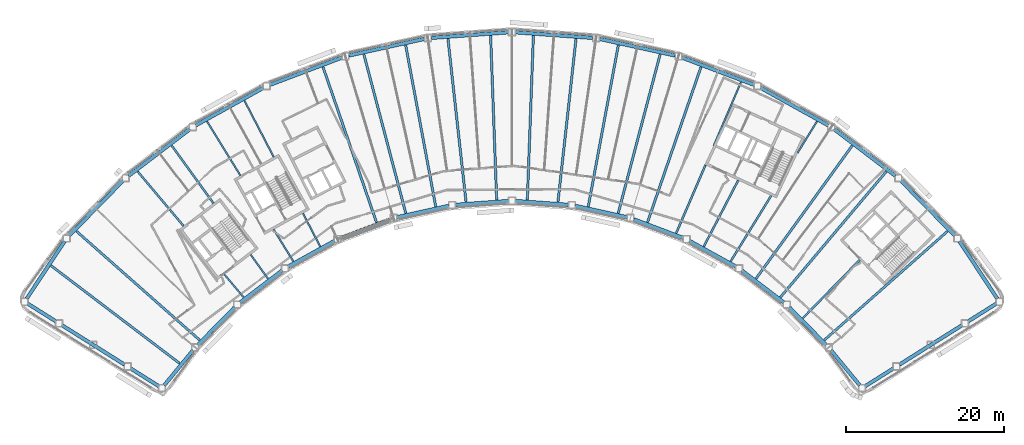
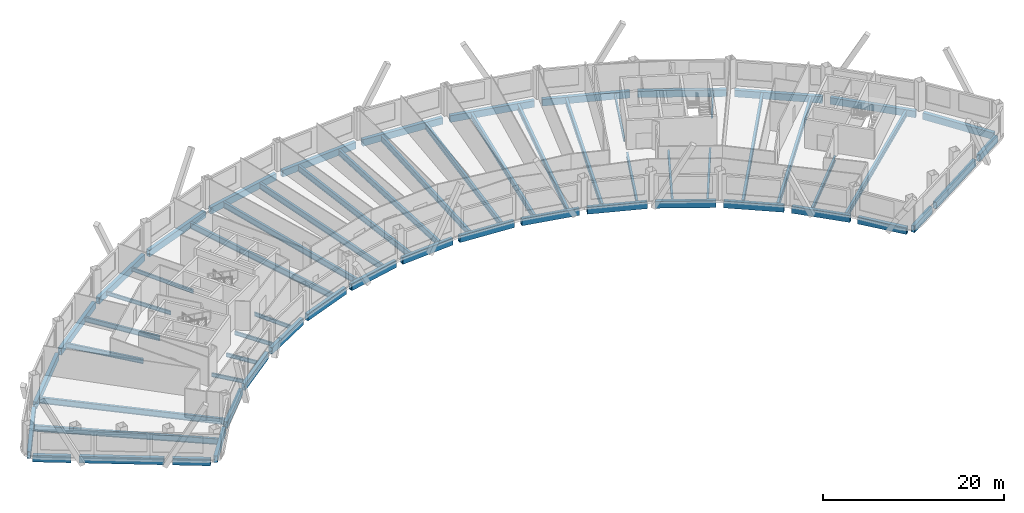
# One storey, part 3 of 13: 63 beams.
"""IFC4 building model written with IfcOpenShell, lengths in metres."""

import ifcopenshell
import ifcopenshell.guid

model = None  # the IFC model being written
_history = None  # IfcOwnerHistory: only IFC2X3 demands one
_inside = {}  # id of a spatial element -> (the spatial element, [elements in it])
_under = {}  # id of a project, library or spatial element -> (it, [spatial elements below it])
_declared = {}  # id of a project -> (the project, [libraries it declares])
_typed = {}  # id of a type object -> (the type object, [elements of that type])
_made_of = {}  # id of a material, layer set ... -> (it, [elements and type objects made of it])


def new_model(schema):
    """Start an empty IFC model of exactly this schema.

    Asked for "IFC4X3", IfcOpenShell would pick the latest addendum, in which some entities
    have other attributes; the version numbers below select the first issue.
    IFC2X3 requires an IfcOwnerHistory on every rooted entity: one is made here for all.
    """
    global model, _history
    if schema == "IFC4X3":
        model = ifcopenshell.file(schema_version=(4, 3, 0, 0))
    else:
        model = ifcopenshell.file(schema=schema)
    _inside.clear()
    _under.clear()
    _declared.clear()
    _typed.clear()
    _made_of.clear()
    _history = None
    if model.schema == "IFC2X3":
        org = make("IfcOrganization", Name="unknown")
        user = make(
            "IfcPersonAndOrganization",
            ThePerson=make("IfcPerson", FamilyName="unknown"),
            TheOrganization=org,
        )
        app = make(
            "IfcApplication",
            ApplicationDeveloper=org,
            Version="unknown",
            ApplicationFullName="unknown",
            ApplicationIdentifier="unknown",
        )
        _history = make(
            "IfcOwnerHistory",
            OwningUser=user,
            OwningApplication=app,
            ChangeAction="ADDED",
            CreationDate=0,
        )
    return model


def make(cls, **values):
    """One entity of the class cls with the attributes given. An attribute that is None is left unset."""
    return model.create_entity(
        cls, **{name: value for name, value in values.items() if value is not None}
    )


def rooted(cls, **values):
    """An entity with a GlobalId (a new one), such as an element, a storey or a relation."""
    return make(cls, GlobalId=ifcopenshell.guid.new(), OwnerHistory=_history, **values)


def si_unit(unit_type, name, prefix=None):
    """IfcSIUnit, for example si_unit("LENGTHUNIT", "METRE", prefix="MILLI")."""
    return make("IfcSIUnit", UnitType=unit_type, Prefix=prefix, Name=name)


def assignment(units):
    """IfcUnitAssignment: the units of a project."""
    return None if units is None else make("IfcUnitAssignment", Units=units)


def point(xyz):
    """IfcCartesianPoint."""
    return None if xyz is None else make("IfcCartesianPoint", Coordinates=xyz)


def direction(xyz):
    """IfcDirection."""
    return None if xyz is None else make("IfcDirection", DirectionRatios=xyz)


def frame(location, z_axis=None, x_axis=None):
    """IfcAxis2Placement3D, a coordinate frame: its origin and axes. An axis left out is left unset."""
    return make(
        "IfcAxis2Placement3D",
        Location=point(location),
        Axis=direction(z_axis),
        RefDirection=direction(x_axis),
    )


def frame_2d(location, x_axis=None):
    """IfcAxis2Placement2D, a coordinate frame in the plane: its origin and x axis."""
    return make(
        "IfcAxis2Placement2D", Location=point(location), RefDirection=direction(x_axis)
    )


def origin():
    """The frame at (0, 0, 0) with its axes left unset."""
    return frame((0.0, 0.0, 0.0))


def origin_2d():
    """The frame at (0, 0) in the plane with its x axis left unset."""
    return frame_2d((0.0, 0.0))


def place(relative_to, where):
    """IfcLocalPlacement: puts the frame where relative to a parent placement (None: the world)."""
    return make(
        "IfcLocalPlacement", PlacementRelTo=relative_to, RelativePlacement=where
    )


def context(
    kind, dimensions, precision=None, world=None, true_north=None, identifier=None
):
    """IfcGeometricRepresentationContext, for example the 3D "Model" context."""
    return make(
        "IfcGeometricRepresentationContext",
        ContextIdentifier=identifier,
        ContextType=kind,
        CoordinateSpaceDimension=dimensions,
        Precision=precision,
        WorldCoordinateSystem=world,
        TrueNorth=true_north,
    )


def subcontext(parent, identifier, kind, view, scale=None):
    """IfcGeometricRepresentationSubContext, for example "Body" below "Model"."""
    return make(
        "IfcGeometricRepresentationSubContext",
        ContextIdentifier=identifier,
        ContextType=kind,
        ParentContext=parent,
        TargetScale=scale,
        TargetView=view,
    )


def project(units=None, contexts=None):
    """IfcProject with its units and contexts."""
    return rooted(
        "IfcProject",
        Name="project",
        RepresentationContexts=contexts,
        UnitsInContext=assignment(units),
    )


def spatial(cls, under=None, at=None, **own):
    """A site, building, storey or space (cls), placed at a placement, below another one or the project."""
    s = rooted(cls, ObjectPlacement=at, **own)
    if under is not None:
        _under.setdefault(under.id(), (under, []))[1].append(s)
    return s


def profile(cls, at=None, kind="AREA", **sizes):
    """A parametric profile (cls). Its sizes go by their IFC names, for example OverallWidth=200.0."""
    return make(cls, ProfileType=kind, Position=at, **sizes)


def hollow_rectangle(**sizes):
    """IfcRectangleHollowProfileDef."""
    return profile("IfcRectangleHollowProfileDef", **sizes)


def i_section(**sizes):
    """IfcIShapeProfileDef."""
    return profile("IfcIShapeProfileDef", **sizes)


def extrude(swept, where, along, depth):
    """IfcExtrudedAreaSolid: the profile swept, set in the frame where, extruded along a direction by depth."""
    return make(
        "IfcExtrudedAreaSolid",
        SweptArea=swept,
        Position=where,
        ExtrudedDirection=direction(along),
        Depth=depth,
    )


def shape(context_of_items, identifier, shape_type, items):
    """IfcShapeRepresentation: the items that make up one representation, for example the "Body"."""
    return make(
        "IfcShapeRepresentation",
        ContextOfItems=context_of_items,
        RepresentationIdentifier=identifier,
        RepresentationType=shape_type,
        Items=items,
    )


def material(Name=None, Category=None):
    """IfcMaterial."""
    return make("IfcMaterial", Name=Name, Category=Category)


def material_profile(
    of_material, cross_section, Name=None, Category=None, Priority=None
):
    """IfcMaterialProfile: a cross section and its material."""
    return make(
        "IfcMaterialProfile",
        Name=Name,
        Material=of_material,
        Profile=cross_section,
        Priority=Priority,
        Category=Category,
    )


def profile_set(profiles, Name=None, composite=None):
    """IfcMaterialProfileSet."""
    return make(
        "IfcMaterialProfileSet",
        Name=Name,
        MaterialProfiles=profiles,
        CompositeProfile=composite,
    )


def made_of(thing, what):
    """Note that an element or type object is made of a material, layer set ...; save() writes the relation."""
    if what is not None:
        _made_of.setdefault(what.id(), (what, []))[1].append(thing)
    return thing


def type_object(cls, material=None, **own):
    """A type object (cls), such as IfcWallType, which elements share."""
    return made_of(rooted(cls, **own), material)


def element(
    cls,
    number,
    at=None,
    inside=None,
    cuts=None,
    type_object=None,
    material=None,
    context=None,
    identifier="Body",
    shape_type=None,
    held_by="IfcProductDefinitionShape",
    body=None,
    shapes=None,
    **own,
):
    """One element of the class cls, such as IfcWall. Its Tag is "e" and its number.

    at: its placement. inside: the storey or other place that contains it. cuts: it is an
    opening in that element (IfcRelVoidsElement). A single representation is given by context,
    identifier, shape_type and body (its items); several are given by shapes. held_by: the class
    of the entity that holds the representations. save() writes the other relations.
    """
    e = rooted(cls, Tag="e%d" % number, ObjectPlacement=at, **own)
    if body is not None:
        shapes = [shape(context, identifier, shape_type, body)]
    if shapes is not None:
        e.Representation = make(held_by, Representations=shapes)
    if inside is not None:
        _inside.setdefault(inside.id(), (inside, []))[1].append(e)
    if cuts is not None:
        rooted(
            "IfcRelVoidsElement", RelatingBuildingElement=cuts, RelatedOpeningElement=e
        )
    if type_object is not None:
        _typed.setdefault(type_object.id(), (type_object, []))[1].append(e)
    return made_of(e, material)


def aggregate(whole, parts):
    """IfcRelAggregates: a whole, such as a stair, and the parts it consists of."""
    return rooted("IfcRelAggregates", RelatingObject=whole, RelatedObjects=parts)


def save(model, path):
    """Write the relations noted so far, then the file.

    IfcRelAggregates (storeys below a building ...), IfcRelContainedInSpatialStructure (elements
    in a storey), IfcRelDefinesByType, IfcRelAssociatesMaterial and IfcRelDeclares: one each for
    every whole, place, type object, material and project.
    """
    for whole, parts in _under.values():
        aggregate(whole, parts)
    for where, things in _inside.values():
        rooted(
            "IfcRelContainedInSpatialStructure",
            RelatedElements=things,
            RelatingStructure=where,
        )
    for kind, things in _typed.values():
        rooted("IfcRelDefinesByType", RelatedObjects=things, RelatingType=kind)
    for what, things in _made_of.values():
        rooted("IfcRelAssociatesMaterial", RelatedObjects=things, RelatingMaterial=what)
    for by, libraries in _declared.values():
        rooted("IfcRelDeclares", RelatingContext=by, RelatedDefinitions=libraries)
    model.write(path)


model = new_model("IFC4")

# Units and contexts
model_context = context("Model", 3, precision=1e-05, world=origin(), true_north=direction((0.0, 1.0)))
body_context = subcontext(model_context, "Body", "Model", "MODEL_VIEW")
ifc_project = project(units=[si_unit("LENGTHUNIT", "METRE"), si_unit("AREAUNIT", "SQUARE_METRE"), si_unit("VOLUMEUNIT", "CUBIC_METRE"), si_unit("PLANEANGLEUNIT", "RADIAN"), si_unit("MASSUNIT", "GRAM", prefix="KILO")], contexts=[model_context])

# Site, building, storey
site_placement = place(None, origin())
site = spatial("IfcSite", under=ifc_project, at=site_placement, CompositionType="ELEMENT")
building_placement = place(site_placement, origin())
building = spatial("IfcBuilding", under=site, at=building_placement, Name="Tuul Gate Civic Tower", CompositionType="ELEMENT")
storey_placement = place(building_placement, frame((0.0, 0.0, 180.5)))
storey = spatial("IfcBuildingStorey", under=building, at=storey_placement, Name="Level 41", CompositionType="ELEMENT", Elevation=180.5)

# Beams
ifc_material_1 = material(Name="Steel S355", Category="steel")
ifc_material_profile_1 = material_profile(ifc_material_1, i_section(OverallWidth=0.199951171875, OverallDepth=0.5, WebThickness=0.010009765625, FlangeThickness=0.01611328125, at=origin_2d()), Name="PG500x200x10x16")
ifc_profile_set_1 = profile_set([ifc_material_profile_1], Name="Steel S355")
beam_type_1 = type_object("IfcBeamType", Name="STR-FLOOR BEAM-PG500x200x10x16", PredefinedType="BEAM", material=ifc_profile_set_1)
beam_1_placement = place(storey_placement, frame((37.12646484375, -1.677734375, -0.550048828125), z_axis=(0.524844644299, 0.85119803768, 0.0), x_axis=(-0.85119803768, 0.524844644299, 0.0)))
element("IfcBeam", 1, at=beam_1_placement, inside=storey, type_object=beam_type_1, Name="Floor beam", PredefinedType="BEAM", context=body_context, shape_type="SweptSolid", body=[
    extrude(i_section(OverallWidth=0.199951171875, OverallDepth=0.5, WebThickness=0.010009765625, FlangeThickness=0.01611328125, at=origin_2d()), origin(), (0.0, 0.0, 1.0), 4.683837890625),
])
beam_2_placement = place(storey_placement, frame((26.525390625, -0.75048828125, -0.550048828125), z_axis=(0.394205580746, 0.919022284882, 0.0), x_axis=(-0.919022284882, 0.394205580746, 0.0)))
element("IfcBeam", 2, at=beam_2_placement, inside=storey, type_object=beam_type_1, Name="Floor beam", PredefinedType="BEAM", context=body_context, shape_type="SweptSolid", body=[
    extrude(i_section(OverallWidth=0.199951171875, OverallDepth=0.5, WebThickness=0.010009765625, FlangeThickness=0.01611328125, at=origin_2d()), origin(), (0.0, 0.0, 1.0), 8.748046875),
])
beam_3_placement = place(storey_placement, frame((-23.281494140625, -13.532958984375, -0.550048828125), z_axis=(-0.460788847224, 0.887509796157, 0.0), x_axis=(-0.887509796157, -0.460788847224, 0.0)))
element("IfcBeam", 3, at=beam_3_placement, inside=storey, type_object=beam_type_1, Name="Floor beam", PredefinedType="BEAM", context=body_context, shape_type="SweptSolid", body=[
    extrude(i_section(OverallWidth=0.199951171875, OverallDepth=0.5, WebThickness=0.010009765625, FlangeThickness=0.01611328125, at=origin_2d()), origin(), (0.0, 0.0, 1.0), 4.75830078125),
])
beam_4_placement = place(storey_placement, frame((-29.16162109375, -2.207275390625, -0.550048828125), z_axis=(-0.460778504814, 0.887515165787, 0.0), x_axis=(-0.887515165787, -0.460778504814, 0.0)))
element("IfcBeam", 4, at=beam_4_placement, inside=storey, type_object=beam_type_1, Name="Floor beam", PredefinedType="BEAM", context=body_context, shape_type="SweptSolid", body=[
    extrude(i_section(OverallWidth=0.199951171875, OverallDepth=0.5, WebThickness=0.010009765625, FlangeThickness=0.01611328125, at=origin_2d()), origin(), (0.0, 0.0, 1.0), 8.046630859375),
])
beam_5_placement = place(storey_placement, frame((-26.676513671875, -15.414306640625, -0.550048828125), z_axis=(-0.524841029393, 0.851200266603, 0.0), x_axis=(-0.851200266603, -0.524841029393, 0.0)))
element("IfcBeam", 5, at=beam_5_placement, inside=storey, type_object=beam_type_1, Name="Floor beam", PredefinedType="BEAM", context=body_context, shape_type="SweptSolid", body=[
    extrude(i_section(OverallWidth=0.199951171875, OverallDepth=0.5, WebThickness=0.010009765625, FlangeThickness=0.01611328125, at=origin_2d()), origin(), (0.0, 0.0, 1.0), 4.761474609375),
])
beam_6_placement = place(storey_placement, frame((-33.378662109375, -4.544677734375, -0.550048828125), z_axis=(-0.52487369229, 0.851180126143, 0.0), x_axis=(-0.851180126143, -0.52487369229, 0.0)))
element("IfcBeam", 6, at=beam_6_placement, inside=storey, type_object=beam_type_1, Name="Floor beam", PredefinedType="BEAM", context=body_context, shape_type="SweptSolid", body=[
    extrude(i_section(OverallWidth=0.199951171875, OverallDepth=0.5, WebThickness=0.010009765625, FlangeThickness=0.01611328125, at=origin_2d()), origin(), (0.0, 0.0, 1.0), 8.052001953125),
])
beam_7_placement = place(storey_placement, frame((-29.880126953125, -17.60546875, -0.550048828125), z_axis=(-0.586071028006, 0.810259680678, 0.0), x_axis=(-0.810259680678, -0.586071028006, 0.0)))
element("IfcBeam", 7, at=beam_7_placement, inside=storey, type_object=beam_type_1, Name="Floor beam", PredefinedType="BEAM", context=body_context, shape_type="SweptSolid", body=[
    extrude(i_section(OverallWidth=0.199951171875, OverallDepth=0.5, WebThickness=0.010009765625, FlangeThickness=0.01611328125, at=origin_2d()), origin(), (0.0, 0.0, 1.0), 3.776611328125),
])
beam_8_placement = place(storey_placement, frame((-32.96826171875, -19.95703125, -0.550048828125), z_axis=(-0.644139723265, 0.764907848641, 0.0), x_axis=(-0.764907848641, -0.644139723265, 0.0)))
element("IfcBeam", 8, at=beam_8_placement, inside=storey, type_object=beam_type_1, Name="Floor beam", PredefinedType="BEAM", context=body_context, shape_type="SweptSolid", body=[
    extrude(i_section(OverallWidth=0.199951171875, OverallDepth=0.5, WebThickness=0.010009765625, FlangeThickness=0.01611328125, at=origin_2d()), origin(), (0.0, 0.0, 1.0), 3.7802734375),
])
ifc_material_2 = material(Name="Steel S355", Category="steel")
ifc_material_profile_2 = material_profile(ifc_material_2, i_section(OverallWidth=0.25, OverallDepth=0.64990234375, WebThickness=0.011962890625, FlangeThickness=0.02001953125, at=origin_2d()), Name="PG650x250x12x20")
ifc_profile_set_2 = profile_set([ifc_material_profile_2], Name="Steel S355")
beam_type_2 = type_object("IfcBeamType", Name="STR-FLOOR BEAM-PG650x250x12x20", PredefinedType="BEAM", material=ifc_profile_set_2)
beam_9_placement = place(storey_placement, frame((37.78857421875, -22.6025390625, -0.625), z_axis=(0.698688167973, 0.715426337182, 0.0), x_axis=(-0.715426337182, 0.698688167973, 0.0)))
element("IfcBeam", 9, at=beam_9_placement, inside=storey, type_object=beam_type_2, Name="Floor beam", PredefinedType="BEAM", context=body_context, shape_type="SweptSolid", body=[
    extrude(i_section(OverallWidth=0.25, OverallDepth=0.64990234375, WebThickness=0.011962890625, FlangeThickness=0.02001953125, at=origin_2d()), origin(), (0.0, 0.0, 1.0), 10.297607421875),
])
beam_10_placement = place(storey_placement, frame((28.656005859375, -15.41455078125, -0.625), z_axis=(0.524868843882, 0.851183115858, 0.0), x_axis=(-0.851183115858, 0.524868843882, 0.0)))
element("IfcBeam", 10, at=beam_10_placement, inside=storey, type_object=beam_type_2, Name="Floor beam", PredefinedType="BEAM", context=body_context, shape_type="SweptSolid", body=[
    extrude(i_section(OverallWidth=0.25, OverallDepth=0.64990234375, WebThickness=0.011962890625, FlangeThickness=0.02001953125, at=origin_2d()), origin(), (0.0, 0.0, 1.0), 9.79736328125),
])
beam_11_placement = place(storey_placement, frame((25.261474609375, -13.532958984375, -0.625), z_axis=(0.460764890878, 0.887522233713, 0.0), x_axis=(-0.887522233713, 0.460764890878, 0.0)))
element("IfcBeam", 11, at=beam_11_placement, inside=storey, type_object=beam_type_2, Name="Floor beam", PredefinedType="BEAM", context=body_context, shape_type="SweptSolid", body=[
    extrude(i_section(OverallWidth=0.25, OverallDepth=0.64990234375, WebThickness=0.011962890625, FlangeThickness=0.02001953125, at=origin_2d()), origin(), (0.0, 0.0, 1.0), 9.46923828125),
])
beam_12_placement = place(storey_placement, frame((21.7666015625, -11.84521484375, -0.625), z_axis=(0.394179109601, 0.919033638968, 0.0), x_axis=(-0.919033638968, 0.394179109601, 0.0)))
element("IfcBeam", 12, at=beam_12_placement, inside=storey, type_object=beam_type_2, Name="Floor beam", PredefinedType="BEAM", context=body_context, shape_type="SweptSolid", body=[
    extrude(i_section(OverallWidth=0.25, OverallDepth=0.64990234375, WebThickness=0.011962890625, FlangeThickness=0.02001953125, at=origin_2d()), origin(), (0.0, 0.0, 1.0), 9.41259765625),
])
beam_13_placement = place(storey_placement, frame((-36.783447265625, -8.061767578125, -0.625), z_axis=(-0.586088809685, 0.810246818668, 0.0), x_axis=(-0.810246818668, -0.586088809685, 0.0)))
element("IfcBeam", 13, at=beam_13_placement, inside=storey, type_object=beam_type_2, Name="Floor beam", PredefinedType="BEAM", context=body_context, shape_type="SweptSolid", body=[
    extrude(i_section(OverallWidth=0.25, OverallDepth=0.64990234375, WebThickness=0.011962890625, FlangeThickness=0.02001953125, at=origin_2d()), origin(), (0.0, 0.0, 1.0), 9.02685546875),
])
beam_14_placement = place(storey_placement, frame((-40.5625, -10.93896484375, -0.625), z_axis=(-0.644130753202, 0.764915402368, 0.0), x_axis=(-0.764915402368, -0.644130753202, 0.0)))
element("IfcBeam", 14, at=beam_14_placement, inside=storey, type_object=beam_type_2, Name="Floor beam", PredefinedType="BEAM", context=body_context, shape_type="SweptSolid", body=[
    extrude(i_section(OverallWidth=0.25, OverallDepth=0.64990234375, WebThickness=0.011962890625, FlangeThickness=0.02001953125, at=origin_2d()), origin(), (0.0, 0.0, 1.0), 9.03515625),
])
ifc_material_3 = material(Name="Steel S355", Category="steel")
ifc_material_profile_3 = material_profile(ifc_material_3, i_section(OverallWidth=0.300048828125, OverallDepth=0.800048828125, WebThickness=0.013916015625, FlangeThickness=0.02490234375, at=origin_2d()), Name="PG800x300x14x25")
ifc_profile_set_3 = profile_set([ifc_material_profile_3], Name="Steel S355")
beam_type_3 = type_object("IfcBeamType", Name="STR-FLOOR BEAM-PG800x300x14x25", PredefinedType="BEAM", material=ifc_profile_set_3)
beam_15_placement = place(storey_placement, frame((40.505615234375, -25.375, -0.699951171875), z_axis=(0.749453243269, 0.662057275584, 0.0), x_axis=(-0.662057275584, 0.749453243269, 0.0)))
element("IfcBeam", 15, at=beam_15_placement, inside=storey, type_object=beam_type_3, Name="Floor beam", PredefinedType="BEAM", context=body_context, shape_type="SweptSolid", body=[
    extrude(i_section(OverallWidth=0.300048828125, OverallDepth=0.800048828125, WebThickness=0.013916015625, FlangeThickness=0.02490234375, at=origin_2d()), origin(), (0.0, 0.0, 1.0), 20.828369140625),
])
beam_16_placement = place(storey_placement, frame((34.9482421875, -19.95703125, -0.699951171875), z_axis=(0.644134662718, 0.76491211017, 0.0), x_axis=(-0.76491211017, 0.644134662718, 0.0)))
element("IfcBeam", 16, at=beam_16_placement, inside=storey, type_object=beam_type_3, Name="Floor beam", PredefinedType="BEAM", context=body_context, shape_type="SweptSolid", body=[
    extrude(i_section(OverallWidth=0.300048828125, OverallDepth=0.800048828125, WebThickness=0.013916015625, FlangeThickness=0.02490234375, at=origin_2d()), origin(), (0.0, 0.0, 1.0), 20.824462890625),
])
beam_17_placement = place(storey_placement, frame((31.859619140625, -17.605712890625, -0.699951171875), z_axis=(0.586088482084, 0.810247055637, 0.0), x_axis=(-0.810247055637, 0.586088482084, 0.0)))
element("IfcBeam", 17, at=beam_17_placement, inside=storey, type_object=beam_type_3, Name="Floor beam", PredefinedType="BEAM", context=body_context, shape_type="SweptSolid", body=[
    extrude(i_section(OverallWidth=0.300048828125, OverallDepth=0.800048828125, WebThickness=0.013916015625, FlangeThickness=0.02490234375, at=origin_2d()), origin(), (0.0, 0.0, 1.0), 20.805908203125),
])
beam_18_placement = place(storey_placement, frame((18.13623046875, -10.472412109375, -0.699951171875), z_axis=(0.325483363772, 0.945547767121, 0.0), x_axis=(-0.945547767121, 0.325483363772, 0.0)))
element("IfcBeam", 18, at=beam_18_placement, inside=storey, type_object=beam_type_3, Name="Floor beam", PredefinedType="BEAM", context=body_context, shape_type="SweptSolid", body=[
    extrude(i_section(OverallWidth=0.300048828125, OverallDepth=0.800048828125, WebThickness=0.013916015625, FlangeThickness=0.02490234375, at=origin_2d()), origin(), (0.0, 0.0, 1.0), 20.8095703125),
])
beam_19_placement = place(storey_placement, frame((14.428466796875, -9.325927734375, -0.699951171875), z_axis=(0.255004720301, 0.96693980817, 0.0), x_axis=(-0.96693980817, 0.255004720301, 0.0)))
element("IfcBeam", 19, at=beam_19_placement, inside=storey, type_object=beam_type_3, Name="Floor beam", PredefinedType="BEAM", context=body_context, shape_type="SweptSolid", body=[
    extrude(i_section(OverallWidth=0.300048828125, OverallDepth=0.800048828125, WebThickness=0.013916015625, FlangeThickness=0.02490234375, at=origin_2d()), origin(), (0.0, 0.0, 1.0), 20.817626953125),
])
beam_20_placement = place(storey_placement, frame((10.638427734375, -8.49072265625, -0.699951171875), z_axis=(0.183147342328, 0.98308547492, 0.0), x_axis=(-0.98308547492, 0.183147342328, 0.0)))
element("IfcBeam", 20, at=beam_20_placement, inside=storey, type_object=beam_type_3, Name="Floor beam", PredefinedType="BEAM", context=body_context, shape_type="SweptSolid", body=[
    extrude(i_section(OverallWidth=0.300048828125, OverallDepth=0.800048828125, WebThickness=0.013916015625, FlangeThickness=0.02490234375, at=origin_2d()), origin(), (0.0, 0.0, 1.0), 20.811279296875),
])
beam_21_placement = place(storey_placement, frame((6.80126953125, -7.91064453125, -0.699951171875), z_axis=(0.1102757583, 0.993901029847, 0.0), x_axis=(-0.993901029847, 0.1102757583, 0.0)))
element("IfcBeam", 21, at=beam_21_placement, inside=storey, type_object=beam_type_3, Name="Floor beam", PredefinedType="BEAM", context=body_context, shape_type="SweptSolid", body=[
    extrude(i_section(OverallWidth=0.300048828125, OverallDepth=0.800048828125, WebThickness=0.013916015625, FlangeThickness=0.02490234375, at=origin_2d()), origin(), (0.0, 0.0, 1.0), 20.815185546875),
])
for number, where, z_axis, x_axis, name in (
    (22, (2.930419921875, -7.630126953125, -0.699951171875), (0.036820332995, 0.99932190163, 0.0), (-0.99932190163, 0.036820332995, 0.0), "Floor beam"),
    (23, (-0.950439453125, -7.630126953125, -0.699951171875), (-0.036832047042, 0.999321469954, 0.0), (-0.999321469954, -0.036832047042, 0.0), "Floor beam"),
):
    element("IfcBeam", number, at=place(storey_placement, frame(where, z_axis=z_axis, x_axis=x_axis)), inside=storey, type_object=beam_type_3, Name=name, PredefinedType="BEAM", context=body_context, shape_type="SweptSolid", body=[
        extrude(i_section(OverallWidth=0.300048828125, OverallDepth=0.800048828125, WebThickness=0.013916015625, FlangeThickness=0.02490234375, at=origin_2d()), origin(), (0.0, 0.0, 1.0), 20.8134765625),
    ])
beam_22_placement = place(storey_placement, frame((-4.8212890625, -7.91064453125, -0.699951171875), z_axis=(-0.110287344613, 0.993899744249, 0.0), x_axis=(-0.993899744249, -0.110287344613, 0.0)))
element("IfcBeam", 24, at=beam_22_placement, inside=storey, type_object=beam_type_3, Name="Floor beam", PredefinedType="BEAM", context=body_context, shape_type="SweptSolid", body=[
    extrude(i_section(OverallWidth=0.300048828125, OverallDepth=0.800048828125, WebThickness=0.013916015625, FlangeThickness=0.02490234375, at=origin_2d()), origin(), (0.0, 0.0, 1.0), 20.815185546875),
])
beam_23_placement = place(storey_placement, frame((-8.658447265625, -8.49072265625, -0.699951171875), z_axis=(-0.183145230157, 0.983085868412, 0.0), x_axis=(-0.983085868412, -0.183145230157, 0.0)))
element("IfcBeam", 25, at=beam_23_placement, inside=storey, type_object=beam_type_3, Name="Floor beam", PredefinedType="BEAM", context=body_context, shape_type="SweptSolid", body=[
    extrude(i_section(OverallWidth=0.300048828125, OverallDepth=0.800048828125, WebThickness=0.013916015625, FlangeThickness=0.02490234375, at=origin_2d()), origin(), (0.0, 0.0, 1.0), 20.8115234375),
])
beam_24_placement = place(storey_placement, frame((-12.44873046875, -9.325927734375, -0.699951171875), z_axis=(-0.255004720301, 0.96693980817, 0.0), x_axis=(-0.96693980817, -0.255004720301, 0.0)))
element("IfcBeam", 26, at=beam_24_placement, inside=storey, type_object=beam_type_3, Name="Floor beam", PredefinedType="BEAM", context=body_context, shape_type="SweptSolid", body=[
    extrude(i_section(OverallWidth=0.300048828125, OverallDepth=0.800048828125, WebThickness=0.013916015625, FlangeThickness=0.02490234375, at=origin_2d()), origin(), (0.0, 0.0, 1.0), 20.817626953125),
])
beam_25_placement = place(storey_placement, frame((-16.15625, -10.47265625, -0.699951171875), z_axis=(-0.325493852911, 0.945544156408, 0.0), x_axis=(-0.945544156408, -0.325493852911, 0.0)))
element("IfcBeam", 27, at=beam_25_placement, inside=storey, type_object=beam_type_3, Name="Floor beam", PredefinedType="BEAM", context=body_context, shape_type="SweptSolid", body=[
    extrude(i_section(OverallWidth=0.300048828125, OverallDepth=0.800048828125, WebThickness=0.013916015625, FlangeThickness=0.02490234375, at=origin_2d()), origin(), (0.0, 0.0, 1.0), 20.809814453125),
])
beam_26_placement = place(storey_placement, frame((-38.525634765625, -25.375, -0.699951171875), z_axis=(-0.749453243269, 0.662057275584, 0.0), x_axis=(-0.662057275584, -0.749453243269, 0.0)))
element("IfcBeam", 28, at=beam_26_placement, inside=storey, type_object=beam_type_3, Name="Floor beam", PredefinedType="BEAM", context=body_context, shape_type="SweptSolid", body=[
    extrude(i_section(OverallWidth=0.300048828125, OverallDepth=0.800048828125, WebThickness=0.013916015625, FlangeThickness=0.02490234375, at=origin_2d()), origin(), (0.0, 0.0, 1.0), 20.828369140625),
])
beam_27_placement = place(storey_placement, frame((-41.064697265625, -28.31982421875, -0.699951171875), z_axis=(-0.796156676215, 0.60509052787, 0.0), x_axis=(-0.60509052787, -0.796156676215, 0.0)))
element("IfcBeam", 29, at=beam_27_placement, inside=storey, type_object=beam_type_3, Name="Floor beam", PredefinedType="BEAM", context=body_context, shape_type="SweptSolid", body=[
    extrude(i_section(OverallWidth=0.300048828125, OverallDepth=0.800048828125, WebThickness=0.013916015625, FlangeThickness=0.02490234375, at=origin_2d()), origin(), (0.0, 0.0, 1.0), 20.46240234375),
])
ifc_material_4 = material(Name="Steel S355", Category="steel")
ifc_material_profile_4 = material_profile(ifc_material_4, hollow_rectangle(XDim=0.449951171875, YDim=0.89990234375, WallThickness=0.02490234375, at=origin_2d()), Name="BOX900x450x25")
ifc_profile_set_4 = profile_set([ifc_material_profile_4], Name="Steel S355")
beam_type_4 = type_object("IfcBeamType", Name="STR-SPANDREL BEAM-BOX900x450x25", PredefinedType="BEAM", material=ifc_profile_set_4)
beam_28_placement = place(storey_placement, frame((62.412841796875, -20.1376953125, -0.75), z_axis=(-0.551603333342, 0.834106565521, 0.0), x_axis=(-0.834106565521, -0.551603333342, 0.0)))
element("IfcBeam", 30, at=beam_28_placement, inside=storey, type_object=beam_type_4, Name="Spandrel beam", PredefinedType="BEAM", context=body_context, shape_type="SweptSolid", body=[
    extrude(hollow_rectangle(XDim=0.449951171875, YDim=0.89990234375, WallThickness=0.02490234375, at=origin_2d()), origin(), (0.0, 0.0, 1.0), 8.706787109375),
])
beam_29_placement = place(storey_placement, frame((57.046875, -12.1787109375, -0.75), z_axis=(-0.700043201451, 0.7141004944, 0.0), x_axis=(-0.7141004944, -0.700043201451, 0.0)))
element("IfcBeam", 31, at=beam_29_placement, inside=storey, type_object=beam_type_4, Name="Spandrel beam", PredefinedType="BEAM", context=body_context, shape_type="SweptSolid", body=[
    extrude(hollow_rectangle(XDim=0.449951171875, YDim=0.89990234375, WallThickness=0.02490234375, at=origin_2d()), origin(), (0.0, 0.0, 1.0), 9.77783203125),
])
for number, where, z_axis, x_axis, name in (
    (32, (49.529052734375, -4.602294921875, -0.75), (-0.795643188576, 0.605765562303, 0.0), (-0.605765562303, -0.795643188576, 0.0), "Spandrel beam"),
    (33, (40.99853515625, 1.811279296875, -0.75), (-0.874595083596, 0.484854039634, 0.0), (-0.484854039634, -0.874595083596, 0.0), "Spandrel beam"),
):
    element("IfcBeam", number, at=place(storey_placement, frame(where, z_axis=z_axis, x_axis=x_axis)), inside=storey, type_object=beam_type_4, Name=name, PredefinedType="BEAM", context=body_context, shape_type="SweptSolid", body=[
        extrude(hollow_rectangle(XDim=0.449951171875, YDim=0.89990234375, WallThickness=0.02490234375, at=origin_2d()), origin(), (0.0, 0.0, 1.0), 9.777099609375),
    ])
beam_30_placement = place(storey_placement, frame((31.633056640625, 6.92919921875, -0.75), z_axis=(-0.935371339929, 0.353667154878, 0.0), x_axis=(-0.353667154878, -0.935371339929, 0.0)))
element("IfcBeam", 34, at=beam_30_placement, inside=storey, type_object=beam_type_4, Name="Spandrel beam", PredefinedType="BEAM", context=body_context, shape_type="SweptSolid", body=[
    extrude(hollow_rectangle(XDim=0.449951171875, YDim=0.89990234375, WallThickness=0.02490234375, at=origin_2d()), origin(), (0.0, 0.0, 1.0), 9.77685546875),
])
beam_31_placement = place(storey_placement, frame((21.62744140625, 10.642822265625, -0.75), z_axis=(-0.976570324129, 0.215198517722, 0.0), x_axis=(-0.215198517722, -0.976570324129, 0.0)))
element("IfcBeam", 35, at=beam_31_placement, inside=storey, type_object=beam_type_4, Name="Spandrel beam", PredefinedType="BEAM", context=body_context, shape_type="SweptSolid", body=[
    extrude(hollow_rectangle(XDim=0.449951171875, YDim=0.89990234375, WallThickness=0.02490234375, at=origin_2d()), origin(), (0.0, 0.0, 1.0), 9.778076171875),
])
beam_32_placement = place(storey_placement, frame((11.190185546875, 12.87646484375, -0.75), z_axis=(-0.997381821188, 0.07231530104, 0.0), x_axis=(-0.07231530104, -0.997381821188, 0.0)))
element("IfcBeam", 36, at=beam_32_placement, inside=storey, type_object=beam_type_4, Name="Spandrel beam", PredefinedType="BEAM", context=body_context, shape_type="SweptSolid", body=[
    extrude(hollow_rectangle(XDim=0.449951171875, YDim=0.89990234375, WallThickness=0.02490234375, at=origin_2d()), origin(), (0.0, 0.0, 1.0), 9.777099609375),
])
beam_33_placement = place(storey_placement, frame((0.541259765625, 13.58349609375, -0.75), z_axis=(-0.997382343448, -0.072308097597, 0.0), x_axis=(0.072308097597, -0.997382343448, 0.0)))
element("IfcBeam", 37, at=beam_33_placement, inside=storey, type_object=beam_type_4, Name="Spandrel beam", PredefinedType="BEAM", context=body_context, shape_type="SweptSolid", body=[
    extrude(hollow_rectangle(XDim=0.449951171875, YDim=0.89990234375, WallThickness=0.02490234375, at=origin_2d()), origin(), (0.0, 0.0, 1.0), 9.778076171875),
])
for number, where, z_axis, x_axis, name in (
    (38, (-10.099365234375, 12.7470703125, -0.75), (-0.976565698355, -0.215219508403, 0.0), (0.215219508403, -0.976565698355, 0.0), "Spandrel beam"),
    (39, (-20.5078125, 10.386962890625, -0.75), (-0.935374463229, -0.35365889433, 0.0), (0.35365889433, -0.935374463229, 0.0), "Spandrel beam"),
    (40, (-30.467529296875, 6.5517578125, -0.75), (-0.874595083596, -0.484854039634, 0.0), (0.484854039634, -0.874595083596, 0.0), "Spandrel beam"),
):
    element("IfcBeam", number, at=place(storey_placement, frame(where, z_axis=z_axis, x_axis=x_axis)), inside=storey, type_object=beam_type_4, Name=name, PredefinedType="BEAM", context=body_context, shape_type="SweptSolid", body=[
        extrude(hollow_rectangle(XDim=0.449951171875, YDim=0.89990234375, WallThickness=0.02490234375, at=origin_2d()), origin(), (0.0, 0.0, 1.0), 9.777099609375),
    ])
beam_34_placement = place(storey_placement, frame((-39.77001953125, 1.3203125, -0.75), z_axis=(-0.795667802621, -0.605733231606, 0.0), x_axis=(0.605733231606, -0.795667802621, 0.0)))
element("IfcBeam", 41, at=beam_34_placement, inside=storey, type_object=beam_type_4, Name="Spandrel beam", PredefinedType="BEAM", context=body_context, shape_type="SweptSolid", body=[
    extrude(hollow_rectangle(XDim=0.449951171875, YDim=0.89990234375, WallThickness=0.02490234375, at=origin_2d()), origin(), (0.0, 0.0, 1.0), 9.778076171875),
])
beam_35_placement = place(storey_placement, frame((-48.222900390625, -5.1962890625, -0.75), z_axis=(-0.699992266311, -0.714150423304, 0.0), x_axis=(0.714150423304, -0.699992266311, 0.0)))
element("IfcBeam", 42, at=beam_35_placement, inside=storey, type_object=beam_type_4, Name="Spandrel beam", PredefinedType="BEAM", context=body_context, shape_type="SweptSolid", body=[
    extrude(hollow_rectangle(XDim=0.449951171875, YDim=0.89990234375, WallThickness=0.02490234375, at=origin_2d()), origin(), (0.0, 0.0, 1.0), 9.77734375),
])
beam_36_placement = place(storey_placement, frame((-55.630126953125, -12.875244140625, -0.75), z_axis=(-0.551603333342, -0.834106565521, 0.0), x_axis=(0.834106565521, -0.551603333342, 0.0)))
element("IfcBeam", 43, at=beam_36_placement, inside=storey, type_object=beam_type_4, Name="Spandrel beam", PredefinedType="BEAM", context=body_context, shape_type="SweptSolid", body=[
    extrude(hollow_rectangle(XDim=0.449951171875, YDim=0.89990234375, WallThickness=0.02490234375, at=origin_2d()), origin(), (0.0, 0.0, 1.0), 8.706787109375),
])
beam_37_placement = place(storey_placement, frame((-60.30029296875, -20.752685546875, -0.75), z_axis=(0.846210678029, -0.53284846663, 0.0), x_axis=(0.53284846663, 0.846210678029, 0.0)))
element("IfcBeam", 44, at=beam_37_placement, inside=storey, type_object=beam_type_4, Name="Spandrel beam", PredefinedType="BEAM", context=body_context, shape_type="SweptSolid", body=[
    extrude(hollow_rectangle(XDim=0.449951171875, YDim=0.89990234375, WallThickness=0.02490234375, at=origin_2d()), origin(), (0.0, 0.0, 1.0), 4.231201171875),
])
beam_38_placement = place(storey_placement, frame((-55.958251953125, -23.48681640625, -0.75), z_axis=(0.846197569515, -0.532869283545, 0.0), x_axis=(0.532869283545, 0.846197569515, 0.0)))
element("IfcBeam", 45, at=beam_38_placement, inside=storey, type_object=beam_type_4, Name="Spandrel beam", PredefinedType="BEAM", context=body_context, shape_type="SweptSolid", body=[
    extrude(hollow_rectangle(XDim=0.449951171875, YDim=0.89990234375, WallThickness=0.02490234375, at=origin_2d()), origin(), (0.0, 0.0, 1.0), 9.363525390625),
])
beam_39_placement = place(storey_placement, frame((-47.273193359375, -28.955810546875, -0.75), z_axis=(0.846181780982, -0.532894354947, 0.0), x_axis=(0.532894354947, 0.846181780982, 0.0)))
element("IfcBeam", 46, at=beam_39_placement, inside=storey, type_object=beam_type_4, Name="Spandrel beam", PredefinedType="BEAM", context=body_context, shape_type="SweptSolid", body=[
    extrude(hollow_rectangle(XDim=0.449951171875, YDim=0.89990234375, WallThickness=0.02490234375, at=origin_2d()), origin(), (0.0, 0.0, 1.0), 4.232421875),
])
beam_40_placement = place(storey_placement, frame((-43.025634765625, -31.10302734375, -0.75), z_axis=(0.63441351957, 0.772993846151, 0.0), x_axis=(-0.772993846151, 0.63441351957, 0.0)))
element("IfcBeam", 47, at=beam_40_placement, inside=storey, type_object=beam_type_4, Name="Spandrel beam", PredefinedType="BEAM", context=body_context, shape_type="SweptSolid", body=[
    extrude(hollow_rectangle(XDim=0.449951171875, YDim=0.89990234375, WallThickness=0.02490234375, at=origin_2d()), origin(), (0.0, 0.0, 1.0), 5.751953125),
])
beam_41_placement = place(storey_placement, frame((-38.776123046875, -25.987548828125, -0.75), z_axis=(0.699975106634, 0.714167242383, 0.0), x_axis=(-0.714167242383, 0.699975106634, 0.0)))
element("IfcBeam", 48, at=beam_41_placement, inside=storey, type_object=beam_type_4, Name="Spandrel beam", PredefinedType="BEAM", context=body_context, shape_type="SweptSolid", body=[
    extrude(hollow_rectangle(XDim=0.449951171875, YDim=0.89990234375, WallThickness=0.02490234375, at=origin_2d()), origin(), (0.0, 0.0, 1.0), 6.69189453125),
])
for number, where, z_axis, x_axis, name in (
    (49, (-33.4189453125, -20.614501953125, -0.75), (0.795605051583, 0.605815650091, 0.0), (-0.605815650091, 0.795605051583, 0.0), "Spandrel beam"),
    (50, (-27.343505859375, -16.06982421875, -0.75), (0.87466619377, 0.48472574666, 0.0), (-0.48472574666, 0.87466619377, 0.0), "Spandrel beam"),
):
    element("IfcBeam", number, at=place(storey_placement, frame(where, z_axis=z_axis, x_axis=x_axis)), inside=storey, type_object=beam_type_4, Name=name, PredefinedType="BEAM", context=body_context, shape_type="SweptSolid", body=[
        extrude(hollow_rectangle(XDim=0.449951171875, YDim=0.89990234375, WallThickness=0.02490234375, at=origin_2d()), origin(), (0.0, 0.0, 1.0), 6.691650390625),
    ])
beam_42_placement = place(storey_placement, frame((-20.676025390625, -12.44873046875, -0.75), z_axis=(0.935376636167, 0.353653147184, 0.0), x_axis=(-0.353653147184, 0.935376636167, 0.0)))
element("IfcBeam", 51, at=beam_42_placement, inside=storey, type_object=beam_type_4, Name="Spandrel beam", PredefinedType="BEAM", context=body_context, shape_type="SweptSolid", body=[
    extrude(hollow_rectangle(XDim=0.449951171875, YDim=0.89990234375, WallThickness=0.02490234375, at=origin_2d()), origin(), (0.0, 0.0, 1.0), 6.69140625),
])
beam_43_placement = place(storey_placement, frame((-13.556640625, -9.826171875, -0.75), z_axis=(0.976559873442, 0.215245937437, 0.0), x_axis=(-0.215245937437, 0.976559873442, 0.0)))
element("IfcBeam", 52, at=beam_43_placement, inside=storey, type_object=beam_type_4, Name="Spandrel beam", PredefinedType="BEAM", context=body_context, shape_type="SweptSolid", body=[
    extrude(hollow_rectangle(XDim=0.449951171875, YDim=0.89990234375, WallThickness=0.02490234375, at=origin_2d()), origin(), (0.0, 0.0, 1.0), 6.692138671875),
])
beam_44_placement = place(storey_placement, frame((-6.133056640625, -8.25634765625, -0.75), z_axis=(0.997382203544, 0.07231002734, 0.0), x_axis=(-0.07231002734, 0.997382203544, 0.0)))
element("IfcBeam", 53, at=beam_44_placement, inside=storey, type_object=beam_type_4, Name="Spandrel beam", PredefinedType="BEAM", context=body_context, shape_type="SweptSolid", body=[
    extrude(hollow_rectangle(XDim=0.449951171875, YDim=0.89990234375, WallThickness=0.02490234375, at=origin_2d()), origin(), (0.0, 0.0, 1.0), 6.69189453125),
])
for number, where, z_axis, x_axis, name in (
    (54, (1.438720703125, -7.7724609375, -0.75), (0.997382394296, -0.072307396229, 0.0), (0.072307396229, 0.997382394296, 0.0), "Spandrel beam"),
    (55, (9.00146484375, -8.3857421875, -0.75), (0.976559873442, -0.215245937437, 0.0), (0.215245937437, 0.976559873442, 0.0), "Spandrel beam"),
):
    element("IfcBeam", number, at=place(storey_placement, frame(where, z_axis=z_axis, x_axis=x_axis)), inside=storey, type_object=beam_type_4, Name=name, PredefinedType="BEAM", context=body_context, shape_type="SweptSolid", body=[
        extrude(hollow_rectangle(XDim=0.449951171875, YDim=0.89990234375, WallThickness=0.02490234375, at=origin_2d()), origin(), (0.0, 0.0, 1.0), 6.692138671875),
    ])
beam_45_placement = place(storey_placement, frame((16.39697265625, -10.082275390625, -0.75), z_axis=(0.935376636167, -0.353653147184, 0.0), x_axis=(0.353653147184, 0.935376636167, 0.0)))
element("IfcBeam", 56, at=beam_45_placement, inside=storey, type_object=beam_type_4, Name="Spandrel beam", PredefinedType="BEAM", context=body_context, shape_type="SweptSolid", body=[
    extrude(hollow_rectangle(XDim=0.449951171875, YDim=0.89990234375, WallThickness=0.02490234375, at=origin_2d()), origin(), (0.0, 0.0, 1.0), 6.69140625),
])
beam_46_placement = place(storey_placement, frame((23.470458984375, -12.826171875, -0.75), z_axis=(0.874631898268, -0.484787626216, 0.0), x_axis=(0.484787626216, 0.874631898268, 0.0)))
element("IfcBeam", 57, at=beam_46_placement, inside=storey, type_object=beam_type_4, Name="Spandrel beam", PredefinedType="BEAM", context=body_context, shape_type="SweptSolid", body=[
    extrude(hollow_rectangle(XDim=0.449951171875, YDim=0.89990234375, WallThickness=0.02490234375, at=origin_2d()), origin(), (0.0, 0.0, 1.0), 6.69091796875),
])
beam_47_placement = place(storey_placement, frame((30.073974609375, -16.560546875, -0.75), z_axis=(0.795658602504, -0.605745316335, 0.0), x_axis=(0.605745316335, 0.795658602504, 0.0)))
element("IfcBeam", 58, at=beam_47_placement, inside=storey, type_object=beam_type_4, Name="Spandrel beam", PredefinedType="BEAM", context=body_context, shape_type="SweptSolid", body=[
    extrude(hollow_rectangle(XDim=0.449951171875, YDim=0.89990234375, WallThickness=0.02490234375, at=origin_2d()), origin(), (0.0, 0.0, 1.0), 6.692626953125),
])
beam_48_placement = place(storey_placement, frame((36.072021484375, -21.20849609375, -0.75), z_axis=(0.699975106634, -0.714167242383, 0.0), x_axis=(0.714167242383, 0.699975106634, 0.0)))
element("IfcBeam", 59, at=beam_48_placement, inside=storey, type_object=beam_type_4, Name="Spandrel beam", PredefinedType="BEAM", context=body_context, shape_type="SweptSolid", body=[
    extrude(hollow_rectangle(XDim=0.449951171875, YDim=0.89990234375, WallThickness=0.02490234375, at=origin_2d()), origin(), (0.0, 0.0, 1.0), 6.69189453125),
])
beam_49_placement = place(storey_placement, frame((41.3564453125, -26.65673828125, -0.75), z_axis=(0.63441351957, -0.772993846151, 0.0), x_axis=(0.772993846151, 0.63441351957, 0.0)))
element("IfcBeam", 60, at=beam_49_placement, inside=storey, type_object=beam_type_4, Name="Spandrel beam", PredefinedType="BEAM", context=body_context, shape_type="SweptSolid", body=[
    extrude(hollow_rectangle(XDim=0.449951171875, YDim=0.89990234375, WallThickness=0.02490234375, at=origin_2d()), origin(), (0.0, 0.0, 1.0), 5.751953125),
])
beam_50_placement = place(storey_placement, frame((45.671875, -31.211181640625, -0.75), z_axis=(0.846116237034, 0.532998417847, 0.0), x_axis=(-0.532998417847, 0.846116237034, 0.0)))
element("IfcBeam", 61, at=beam_50_placement, inside=storey, type_object=beam_type_4, Name="Spandrel beam", PredefinedType="BEAM", context=body_context, shape_type="SweptSolid", body=[
    extrude(hollow_rectangle(XDim=0.449951171875, YDim=0.89990234375, WallThickness=0.02490234375, at=origin_2d()), origin(), (0.0, 0.0, 1.0), 4.2314453125),
])
beam_51_placement = place(storey_placement, frame((50.013671875, -28.476318359375, -0.75), z_axis=(0.846204972904, 0.532857526767, 0.0), x_axis=(-0.532857526767, 0.846204972904, 0.0)))
element("IfcBeam", 62, at=beam_51_placement, inside=storey, type_object=beam_type_4, Name="Spandrel beam", PredefinedType="BEAM", context=body_context, shape_type="SweptSolid", body=[
    extrude(hollow_rectangle(XDim=0.449951171875, YDim=0.89990234375, WallThickness=0.02490234375, at=origin_2d()), origin(), (0.0, 0.0, 1.0), 9.36376953125),
])
beam_52_placement = place(storey_placement, frame((58.69873046875, -23.00732421875, -0.75), z_axis=(0.846276187944, 0.532744416882, 0.0), x_axis=(-0.532744416882, 0.846276187944, 0.0)))
element("IfcBeam", 63, at=beam_52_placement, inside=storey, type_object=beam_type_4, Name="Spandrel beam", PredefinedType="BEAM", context=body_context, shape_type="SweptSolid", body=[
    extrude(hollow_rectangle(XDim=0.449951171875, YDim=0.89990234375, WallThickness=0.02490234375, at=origin_2d()), origin(), (0.0, 0.0, 1.0), 4.232177734375),
])

save(model, "model.ifc")
